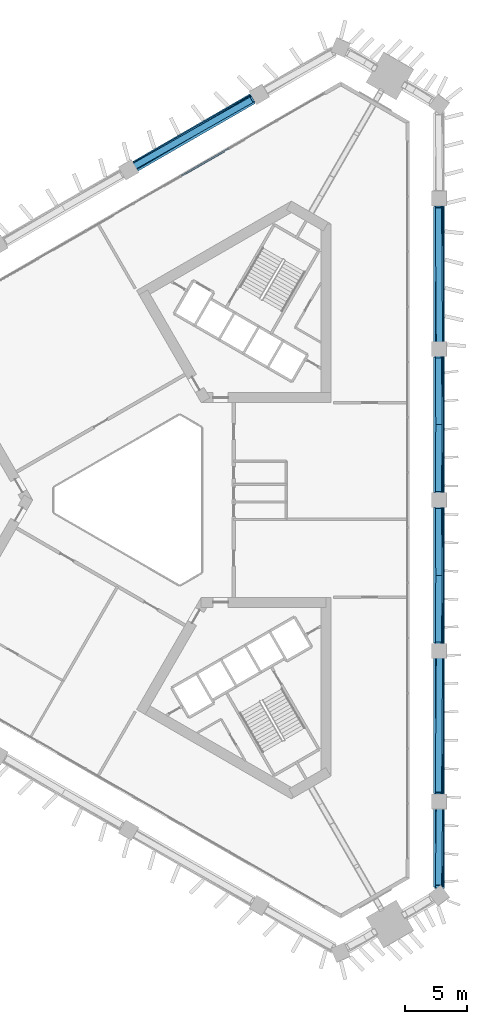
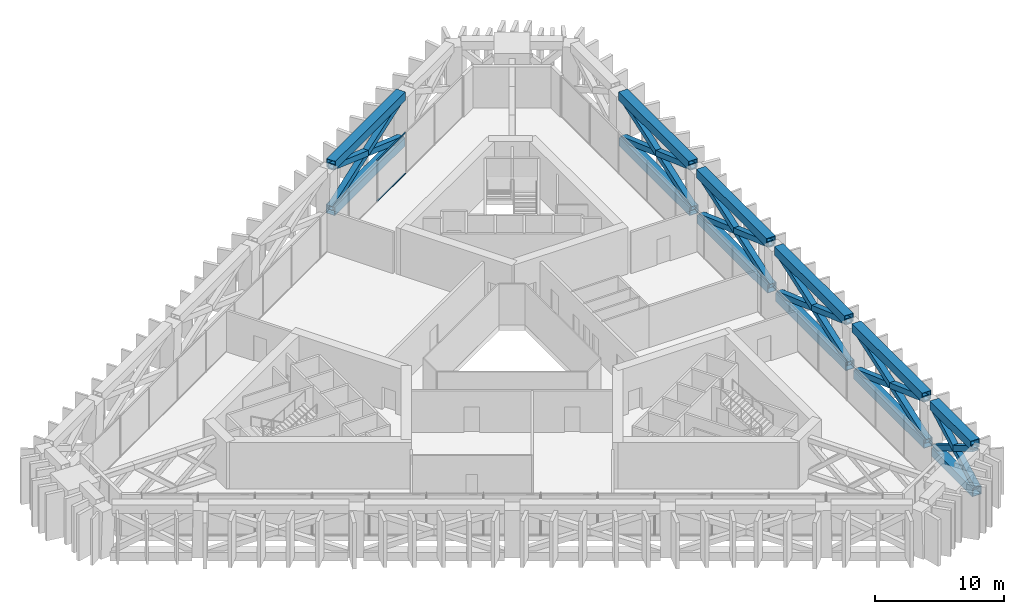
# One storey, part 11 of 18: 26 members, 1 element without a shape of its own.
"""IFC4 building model written with IfcOpenShell, lengths in metres."""

from ifc_helpers import new_model, si_unit, direction, frame, origin, origin_2d, place, context, subcontext, project, spatial, rectangle, hollow_rectangle, extrude, material, layer, layer_set, material_profile, profile_set, type_object, element, aggregate, save


model = new_model("IFC4")

# Units and contexts
model_context = context("Model", 3, precision=1e-05, world=origin(), true_north=direction((0.0, 1.0)))
body_context = subcontext(model_context, "Body", "Model", "MODEL_VIEW")
ifc_project = project(units=[si_unit("LENGTHUNIT", "METRE"), si_unit("AREAUNIT", "SQUARE_METRE"), si_unit("VOLUMEUNIT", "CUBIC_METRE"), si_unit("PLANEANGLEUNIT", "RADIAN"), si_unit("MASSUNIT", "GRAM", prefix="KILO")], contexts=[model_context])

# Site, building, storey
site_placement = place(None, origin())
site = spatial("IfcSite", under=ifc_project, at=site_placement, CompositionType="ELEMENT")
building_placement = place(site_placement, origin())
building = spatial("IfcBuilding", under=site, at=building_placement, Name="Jabali Bay Hotel Tower and Convention Centre", CompositionType="ELEMENT")
storey_placement = place(building_placement, frame((0.0, 0.0, 52.89990234375)))
storey = spatial("IfcBuildingStorey", under=building, at=storey_placement, Name="L11", CompositionType="ELEMENT", Elevation=52.89990234375)

# Members
ifc_material_1 = material(Name="Steel Q420GJC", Category="steel")
ifc_material_profile_1 = material_profile(ifc_material_1, hollow_rectangle(XDim=0.5, YDim=0.5, WallThickness=0.030029296875, at=origin_2d()), Name="Belt brace 500x500x30")
ifc_profile_set_1 = profile_set([ifc_material_profile_1], Name="Steel Q420GJC")
member_type_1 = type_object("IfcMemberType", Name="Belt brace 500x500x30", PredefinedType="BRACE", material=ifc_profile_set_1)
member_1_placement = place(storey_placement, frame((83.639404296875, 112.219482421875, 0.217529296875), z_axis=(-0.810771682073, -0.476021332186, 0.340665482331), x_axis=(0.506306257768, -0.862353740262, 0.0)))
element("IfcMember", 1, at=member_1_placement, inside=storey, type_object=member_type_1, Name="Belt brace T1 F1.1-F1.2 x1", PredefinedType="BRACE", context=body_context, shape_type="SweptSolid", body=[
    extrude(hollow_rectangle(XDim=0.5, YDim=0.5, WallThickness=0.030029296875, at=origin_2d()), origin(), (0.0, 0.0, 1.0), 11.63916015625),
])
member_2_placement = place(storey_placement, frame((74.203369140625, 106.771484375, 0.219970703125), z_axis=(0.816557409832, 0.463418239477, 0.344205653306), x_axis=(-0.493578722925, 0.869701123534, 0.0)))
element("IfcMember", 2, at=member_2_placement, inside=storey, type_object=member_type_1, Name="Belt brace T1 F1.1-F1.2 x2", PredefinedType="BRACE", context=body_context, shape_type="SweptSolid", body=[
    extrude(hollow_rectangle(XDim=0.5, YDim=0.5, WallThickness=0.030029296875, at=origin_2d()), origin(), (0.0, 0.0, 1.0), 11.50537109375),
])
member_3_placement = place(storey_placement, frame((98.58056640625, 48.8798828125, 0.346435546875), z_axis=(-0.010073840028, 0.866021031958, 0.499906081133), x_axis=(-0.999932351347, -0.011631540314, 0.0)))
element("IfcMember", 3, at=member_3_placement, inside=storey, type_object=member_type_1, Name="Belt brace T1 V0-F0.1 x1", PredefinedType="BRACE", context=body_context, shape_type="SweptSolid", body=[
    extrude(hollow_rectangle(XDim=0.5, YDim=0.5, WallThickness=0.030029296875, at=origin_2d()), origin(), (0.0, 0.0, 1.0), 7.416015625),
])
member_4_placement = place(storey_placement, frame((98.58056640625, 55.208251953125, 0.356689453125), z_axis=(-0.010321553245, -0.859497735502, 0.511035329704), x_axis=(0.999927901924, -0.012007953779, 0.0)))
element("IfcMember", 4, at=member_4_placement, inside=storey, type_object=member_type_1, Name="Belt brace T1 V0-F0.1 x2", PredefinedType="BRACE", context=body_context, shape_type="SweptSolid", body=[
    extrude(hollow_rectangle(XDim=0.5, YDim=0.5, WallThickness=0.030029296875, at=origin_2d()), origin(), (0.0, 0.0, 1.0), 7.21435546875),
])
member_5_placement = place(storey_placement, frame((98.583251953125, 56.408203125, 0.217529296875), z_axis=(-0.006879940732, 0.940160681349, 0.340661943371), x_axis=(-0.999973225721, -0.007317639062, 0.0)))
element("IfcMember", 5, at=member_5_placement, inside=storey, type_object=member_type_1, Name="Belt brace T1 F0.1-F0.2 x1", PredefinedType="BRACE", context=body_context, shape_type="SweptSolid", body=[
    extrude(hollow_rectangle(XDim=0.5, YDim=0.5, WallThickness=0.030029296875, at=origin_2d()), origin(), (0.0, 0.0, 1.0), 11.639404296875),
])
member_6_placement = place(storey_placement, frame((98.583251953125, 67.30419921875, 0.219970703125), z_axis=(-0.006960082412, -0.938868433932, 0.344205782954), x_axis=(0.999972522868, -0.007413063341, 0.0)))
element("IfcMember", 6, at=member_6_placement, inside=storey, type_object=member_type_1, Name="Belt brace T1 F0.1-F0.2 x2", PredefinedType="BRACE", context=body_context, shape_type="SweptSolid", body=[
    extrude(hollow_rectangle(XDim=0.5, YDim=0.5, WallThickness=0.030029296875, at=origin_2d()), origin(), (0.0, 0.0, 1.0), 11.50537109375),
])
member_7_placement = place(storey_placement, frame((98.583251953125, 68.504150390625, 0.21826171875), z_axis=(-0.006906517618, 0.939728581609, 0.341851565628), x_axis=(-0.999972993657, -0.007349282796, 0.0)))
element("IfcMember", 7, at=member_7_placement, inside=storey, type_object=member_type_1, Name="Belt brace T1 F0.2-F0.3 x1", PredefinedType="BRACE", context=body_context, shape_type="SweptSolid", body=[
    extrude(hollow_rectangle(XDim=0.5, YDim=0.5, WallThickness=0.030029296875, at=origin_2d()), origin(), (0.0, 0.0, 1.0), 11.594482421875),
])
for number, where, z_axis, x_axis, name in (
    (8, (98.583251953125, 79.39990234375, 0.21923828125), (-0.006933252275, -0.939307717555, 0.34300574595), (0.999972759788, -0.007381035291, 0.0), "Belt brace T1 F0.2-F0.3 x2"),
    (9, (98.583251953125, 80.60009765625, 0.21923828125), (-0.006933252275, 0.939307717555, 0.34300574595), (-0.999972759788, -0.007381035291, 0.0), "Belt brace T1 F0.3-F0.4 x1"),
):
    element("IfcMember", number, at=place(storey_placement, frame(where, z_axis=z_axis, x_axis=x_axis)), inside=storey, type_object=member_type_1, Name=name, PredefinedType="BRACE", context=body_context, shape_type="SweptSolid", body=[
        extrude(hollow_rectangle(XDim=0.5, YDim=0.5, WallThickness=0.030029296875, at=origin_2d()), origin(), (0.0, 0.0, 1.0), 11.5498046875),
    ])
member_8_placement = place(storey_placement, frame((98.583251953125, 91.495849609375, 0.21826171875), z_axis=(-0.006906517618, -0.939728581609, 0.341851565628), x_axis=(0.999972993657, -0.007349282796, 0.0)))
element("IfcMember", 10, at=member_8_placement, inside=storey, type_object=member_type_1, Name="Belt brace T1 F0.3-F0.4 x2", PredefinedType="BRACE", context=body_context, shape_type="SweptSolid", body=[
    extrude(hollow_rectangle(XDim=0.5, YDim=0.5, WallThickness=0.030029296875, at=origin_2d()), origin(), (0.0, 0.0, 1.0), 11.594482421875),
])
member_9_placement = place(storey_placement, frame((98.583251953125, 92.69580078125, 0.219970703125), z_axis=(-0.006960082412, 0.938868433932, 0.344205782954), x_axis=(-0.999972522868, -0.007413063341, 0.0)))
element("IfcMember", 11, at=member_9_placement, inside=storey, type_object=member_type_1, Name="Belt brace T1 F0.4-F0.5 x1", PredefinedType="BRACE", context=body_context, shape_type="SweptSolid", body=[
    extrude(hollow_rectangle(XDim=0.5, YDim=0.5, WallThickness=0.030029296875, at=origin_2d()), origin(), (0.0, 0.0, 1.0), 11.50537109375),
])
member_10_placement = place(storey_placement, frame((98.583251953125, 103.591796875, 0.217529296875), z_axis=(-0.006879940732, -0.940160681349, 0.340661943371), x_axis=(0.999973225721, -0.007317639062, 0.0)))
element("IfcMember", 12, at=member_10_placement, inside=storey, type_object=member_type_1, Name="Belt brace T1 F0.4-F0.5 x2", PredefinedType="BRACE", context=body_context, shape_type="SweptSolid", body=[
    extrude(hollow_rectangle(XDim=0.5, YDim=0.5, WallThickness=0.030029296875, at=origin_2d()), origin(), (0.0, 0.0, 1.0), 11.639404296875),
])
ifc_material_profile_2 = material_profile(ifc_material_1, hollow_rectangle(XDim=0.800048828125, YDim=0.800048828125, WallThickness=0.0400390625, at=origin_2d()), Name="Belt chord 800x800x40")
ifc_profile_set_2 = profile_set([ifc_material_profile_2], Name="Steel Q420GJC")
member_type_2 = type_object("IfcMemberType", Name="Belt chord 800x800x40", PredefinedType="CHORD", material=ifc_profile_set_2)
member_11_placement = place(storey_placement, frame((83.63720703125, 112.223388671875, 0.0), z_axis=(-0.866021405433, -0.500006925284, 0.0), x_axis=(0.500006925284, -0.866021405433, 0.0)))
element("IfcMember", 13, at=member_11_placement, inside=storey, type_object=member_type_2, Name="Belt chord T1 F1.1-F1.2", PredefinedType="CHORD", context=body_context, shape_type="SweptSolid", body=[
    extrude(hollow_rectangle(XDim=0.800048828125, YDim=0.800048828125, WallThickness=0.0400390625, at=origin_2d()), origin(), (0.0, 0.0, 1.0), 10.895751953125),
])
member_12_placement = place(storey_placement, frame((98.587646484375, 48.880126953125, 0.0), z_axis=(0.0, 1.0, 0.0), x_axis=(-1.0, 0.0, 0.0)))
element("IfcMember", 14, at=member_12_placement, inside=storey, type_object=member_type_2, Name="Belt chord T1 V0-F0.1", PredefinedType="CHORD", context=body_context, shape_type="SweptSolid", body=[
    extrude(hollow_rectangle(XDim=0.800048828125, YDim=0.800048828125, WallThickness=0.0400390625, at=origin_2d()), origin(), (0.0, 0.0, 1.0), 6.328125),
])
member_13_placement = place(storey_placement, frame((98.587646484375, 56.408203125, 0.0), z_axis=(0.0, 1.0, 0.0), x_axis=(-1.0, 0.0, 0.0)))
element("IfcMember", 15, at=member_13_placement, inside=storey, type_object=member_type_2, Name="Belt chord T1 F0.1-F0.2", PredefinedType="CHORD", context=body_context, shape_type="SweptSolid", body=[
    extrude(hollow_rectangle(XDim=0.800048828125, YDim=0.800048828125, WallThickness=0.0400390625, at=origin_2d()), origin(), (0.0, 0.0, 1.0), 10.89599609375),
])
for number, where, z_axis, x_axis, name in (
    (16, (98.587646484375, 68.504150390625, 0.0), (0.0, 1.0, 0.0), (-1.0, 0.0, 0.0), "Belt chord T1 F0.2-F0.3"),
    (17, (98.587646484375, 80.60009765625, 0.0), (0.0, 1.0, 0.0), (-1.0, 0.0, 0.0), "Belt chord T1 F0.3-F0.4"),
):
    element("IfcMember", number, at=place(storey_placement, frame(where, z_axis=z_axis, x_axis=x_axis)), inside=storey, type_object=member_type_2, Name=name, PredefinedType="CHORD", context=body_context, shape_type="SweptSolid", body=[
        extrude(hollow_rectangle(XDim=0.800048828125, YDim=0.800048828125, WallThickness=0.0400390625, at=origin_2d()), origin(), (0.0, 0.0, 1.0), 10.895751953125),
    ])
member_14_placement = place(storey_placement, frame((98.587646484375, 92.69580078125, 0.0), z_axis=(0.0, 1.0, 0.0), x_axis=(-1.0, 0.0, 0.0)))
element("IfcMember", 18, at=member_14_placement, inside=storey, type_object=member_type_2, Name="Belt chord T1 F0.4-F0.5", PredefinedType="CHORD", context=body_context, shape_type="SweptSolid", body=[
    extrude(hollow_rectangle(XDim=0.800048828125, YDim=0.800048828125, WallThickness=0.0400390625, at=origin_2d()), origin(), (0.0, 0.0, 1.0), 10.89599609375),
])
member_15_placement = place(storey_placement, frame((83.600341796875, 112.099609375, 4.400146484375), z_axis=(-0.866022945871, -0.500004257206, 0.0), x_axis=(0.500004257206, -0.866022945871, 0.0)))
element("IfcMember", 19, at=member_15_placement, inside=storey, type_object=member_type_2, Name="Belt chord T1 F1.1-F1.2", PredefinedType="CHORD", context=body_context, shape_type="SweptSolid", body=[
    extrude(hollow_rectangle(XDim=0.800048828125, YDim=0.800048828125, WallThickness=0.0400390625, at=origin_2d()), origin(), (0.0, 0.0, 1.0), 10.84912109375),
])
member_16_placement = place(storey_placement, frame((98.498779296875, 49.0078125, 4.400146484375), z_axis=(0.0, 1.0, 0.0), x_axis=(-1.0, 0.0, 0.0)))
element("IfcMember", 20, at=member_16_placement, inside=storey, type_object=member_type_2, Name="Belt chord T1 V0-F0.1", PredefinedType="CHORD", context=body_context, shape_type="SweptSolid", body=[
    extrude(hollow_rectangle(XDim=0.800048828125, YDim=0.800048828125, WallThickness=0.0400390625, at=origin_2d()), origin(), (0.0, 0.0, 1.0), 6.29443359375),
])
for number, where, z_axis, x_axis, name in (
    (21, (98.498779296875, 56.502197265625, 4.400146484375), (0.0, 1.0, 0.0), (-1.0, 0.0, 0.0), "Belt chord T1 F0.1-F0.2"),
    (22, (98.498779296875, 68.551025390625, 4.400146484375), (0.0, 1.0, 0.0), (-1.0, 0.0, 0.0), "Belt chord T1 F0.2-F0.3"),
    (23, (98.498779296875, 80.60009765625, 4.400146484375), (0.0, 1.0, 0.0), (-1.0, 0.0, 0.0), "Belt chord T1 F0.3-F0.4"),
    (24, (98.498779296875, 92.64892578125, 4.400146484375), (0.0, 1.0, 0.0), (-1.0, 0.0, 0.0), "Belt chord T1 F0.4-F0.5"),
):
    element("IfcMember", number, at=place(storey_placement, frame(where, z_axis=z_axis, x_axis=x_axis)), inside=storey, type_object=member_type_2, Name=name, PredefinedType="CHORD", context=body_context, shape_type="SweptSolid", body=[
        extrude(hollow_rectangle(XDim=0.800048828125, YDim=0.800048828125, WallThickness=0.0400390625, at=origin_2d()), origin(), (0.0, 0.0, 1.0), 10.848876953125),
    ])

# Curtain wall, members
ifc_material_2 = material(Name="Aluminium and glass", Category="aluminium")
ifc_layer = layer(ifc_material_2, 0.159912109375)
ifc_layer_set = layer_set([ifc_layer], Name="Aluminium and glass")
curtain_wall_type = type_object("IfcCurtainWallType", Name="CW3 curtain wall", PredefinedType="NOTDEFINED", material=ifc_layer_set)
curtain_wall_placement = place(storey_placement, origin())
curtain_wall = element("IfcCurtainWall", 25, at=curtain_wall_placement, inside=storey, type_object=curtain_wall_type, Name="CW3 curtain wall north-west face L11", PredefinedType="NOTDEFINED")
ifc_material_3 = material(Name="Aluminium", Category="aluminium")
ifc_material_profile_3 = material_profile(ifc_material_3, rectangle(XDim=0.1201171875, YDim=0.06005859375, at=origin_2d()), Name="CW3 transom 60 x 120")
ifc_profile_set_3 = profile_set([ifc_material_profile_3], Name="Aluminium")
member_type_3 = type_object("IfcMemberType", Name="CW3 transom 60 x 120", PredefinedType="USERDEFINED", material=ifc_profile_set_3)
member_17_placement = place(storey_placement, frame((77.912841796875, 105.973876953125, 0.030029296875), z_axis=(0.86602716698, 0.499996946043, 0.0), x_axis=(-0.499996946043, 0.86602716698, 0.0)))
member_17 = element("IfcMember", 26, at=member_17_placement, type_object=member_type_3, Name="CW3 transom 11.1", ObjectType="TRANSOM", PredefinedType="USERDEFINED", context=body_context, shape_type="SweptSolid", body=[
    extrude(rectangle(XDim=0.1201171875, YDim=0.06005859375, at=origin_2d()), origin(), (0.0, 0.0, 1.0), 4.36279296875),
])
member_18_placement = place(storey_placement, frame((77.912841796875, 105.973876953125, 3.8701171875), z_axis=(0.86602716698, 0.499996946043, 0.0), x_axis=(-0.499996946043, 0.86602716698, 0.0)))
member_18 = element("IfcMember", 27, at=member_18_placement, type_object=member_type_3, Name="CW3 transom 11.2", ObjectType="TRANSOM", PredefinedType="USERDEFINED", context=body_context, shape_type="SweptSolid", body=[
    extrude(rectangle(XDim=0.1201171875, YDim=0.06005859375, at=origin_2d()), origin(), (0.0, 0.0, 1.0), 4.36279296875),
])
aggregate(curtain_wall, [member_17, member_18])

save(model, "model.ifc")
